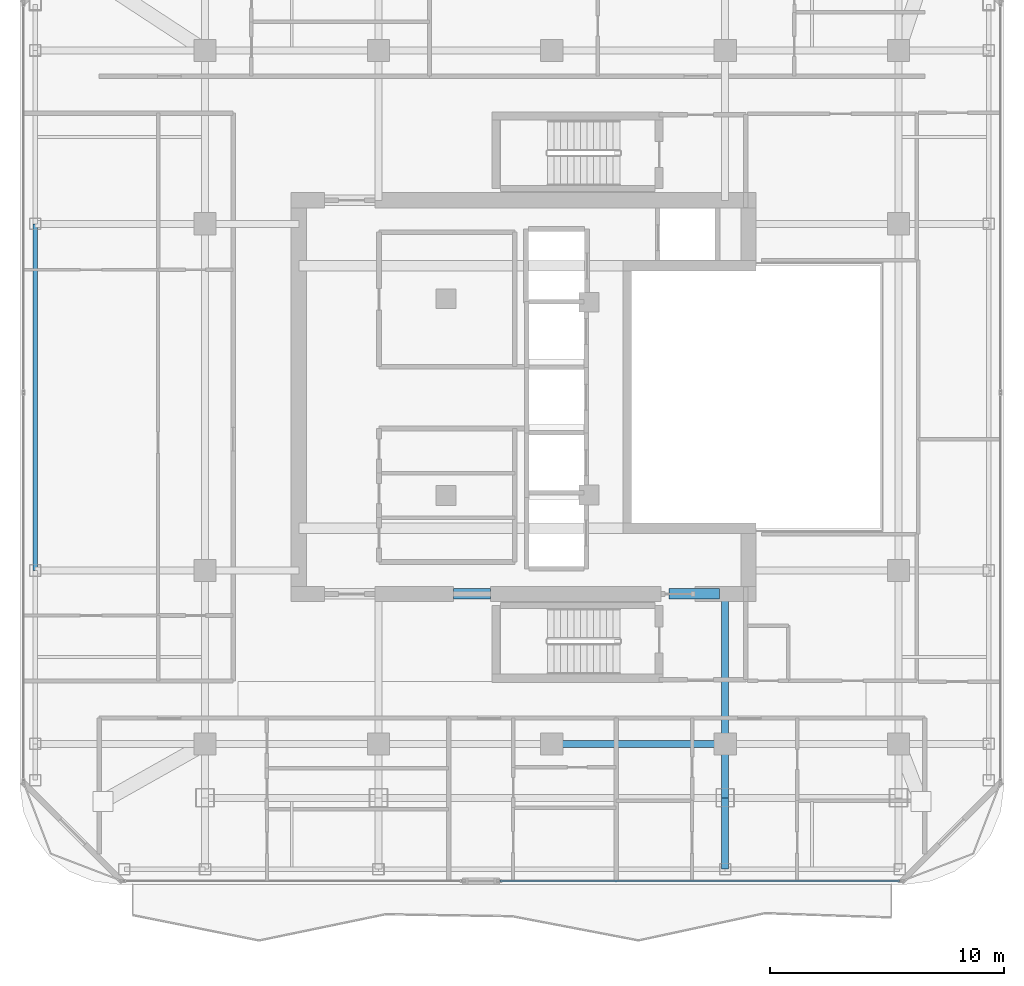
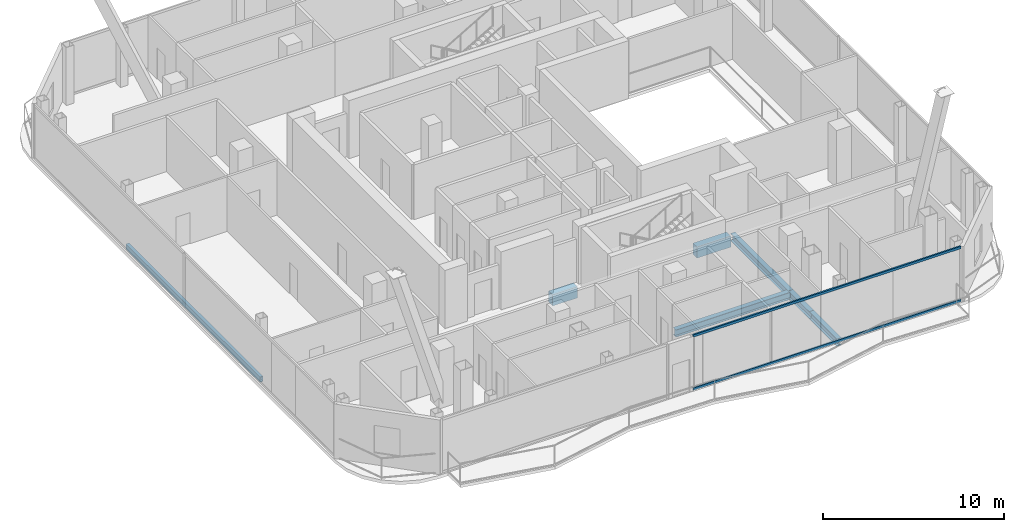
# One storey, part 5 of 24: 7 beams, 2 members, 1 element without a shape of its own.
"""IFC4 building model written with IfcOpenShell, lengths in metres."""

from ifc_helpers import new_model, si_unit, direction, frame, origin, origin_2d, place, context, subcontext, project, spatial, rectangle, hollow_rectangle, i_section, extrude, material, layer, layer_set, material_profile, profile_set, type_object, element, aggregate, save


model = new_model("IFC4")

# Units and contexts
model_context = context("Model", 3, precision=1e-05, world=origin(), true_north=direction((0.0, 1.0)))
body_context = subcontext(model_context, "Body", "Model", "MODEL_VIEW")
ifc_project = project(units=[si_unit("LENGTHUNIT", "METRE"), si_unit("AREAUNIT", "SQUARE_METRE"), si_unit("VOLUMEUNIT", "CUBIC_METRE"), si_unit("PLANEANGLEUNIT", "RADIAN"), si_unit("MASSUNIT", "GRAM", prefix="KILO")], contexts=[model_context])

# Site, building, storey
site_placement = place(None, origin())
site = spatial("IfcSite", under=ifc_project, at=site_placement, CompositionType="ELEMENT")
building_placement = place(site_placement, origin())
building = spatial("IfcBuilding", under=site, at=building_placement, Name="Khorvyn Point Tower", CompositionType="ELEMENT")
storey_placement = place(building_placement, frame((0.0, 0.0, 301.5)))
storey = spatial("IfcBuildingStorey", under=building, at=storey_placement, Name="L74", CompositionType="ELEMENT", Elevation=301.5)

# Curtain wall, members
ifc_material_1 = material(Name="Anodised aluminium 6063-T6 and laminated Low-E glass", Category="aluminium")
ifc_layer = layer(ifc_material_1, 0.18994140625)
ifc_layer_set = layer_set([ifc_layer], Name="Stick-Built High-Wind Curtain Wall CW-SYS-04")
curtain_wall_type = type_object("IfcCurtainWallType", Name="Stick-Built High-Wind Curtain Wall CW-SYS-04", PredefinedType="NOTDEFINED", material=ifc_layer_set)
curtain_wall_placement = place(storey_placement, origin())
curtain_wall = element("IfcCurtainWall", 1, at=curtain_wall_placement, inside=storey, type_object=curtain_wall_type, Name="Curtain Wall", PredefinedType="NOTDEFINED")
ifc_material_2 = material(Name="Anodised aluminium 6063-T6", Category="aluminium")
ifc_material_profile_1 = material_profile(ifc_material_2, hollow_rectangle(XDim=0.10009765625, YDim=0.159912109375, WallThickness=0.00439453125, at=origin_2d()))
ifc_profile_set_1 = profile_set([ifc_material_profile_1], Name="Anodised aluminium 6063-T6 ALU-TRN-100x160")
member_type = type_object("IfcMemberType", Name="Anodised Aluminium 6063-T6 Transom ALU-TRN-100x160", PredefinedType="USERDEFINED", material=ifc_profile_set_1)
member_1_placement = place(storey_placement, frame((14.85009765625, -20.64990234375, 0.050048828125), z_axis=(-1.0, 0.0, 0.0), x_axis=(0.0, -1.0, 0.0)))
member_1 = element("IfcMember", 2, at=member_1_placement, type_object=member_type, Name="Transom", ObjectType="TRANSOM", PredefinedType="USERDEFINED", context=body_context, shape_type="SweptSolid", body=[
    extrude(hollow_rectangle(XDim=0.10009765625, YDim=0.159912109375, WallThickness=0.00439453125, at=origin_2d()), origin(), (0.0, 0.0, 1.0), 17.05712890625),
])
member_2_placement = place(storey_placement, frame((14.85009765625, -20.64990234375, 3.6298828125), z_axis=(-1.0, 0.0, 0.0), x_axis=(0.0, -1.0, 0.0)))
member_2 = element("IfcMember", 3, at=member_2_placement, type_object=member_type, Name="Transom", ObjectType="TRANSOM", PredefinedType="USERDEFINED", context=body_context, shape_type="SweptSolid", body=[
    extrude(hollow_rectangle(XDim=0.10009765625, YDim=0.159912109375, WallThickness=0.00439453125, at=origin_2d()), origin(), (0.0, 0.0, 1.0), 17.05712890625),
])
aggregate(curtain_wall, [member_1, member_2])

# Beams
ifc_material_3 = material(Name="Concrete C40/50", Category="concrete")
ifc_material_profile_2 = material_profile(ifc_material_3, rectangle(XDim=0.449951171875, YDim=0.75, at=origin_2d()))
ifc_profile_set_2 = profile_set([ifc_material_profile_2], Name="Concrete C40/50 RC450x750")
beam_type_1 = type_object("IfcBeamType", Name="Concrete C40/50 Beam RC450x750", PredefinedType="BEAM", material=ifc_profile_set_2)
beam_1_placement = place(storey_placement, frame((-4.199951171875, -8.39990234375, -0.594970703125), z_axis=(1.0, 0.0, 0.0), x_axis=(0.0, 1.0, 0.0)))
element("IfcBeam", 4, at=beam_1_placement, inside=storey, type_object=beam_type_1, Name="L74 Core Shuttle Portal Coupling Beam", PredefinedType="BEAM", context=body_context, shape_type="SweptSolid", body=[
    extrude(rectangle(XDim=0.449951171875, YDim=0.75, at=origin_2d()), origin(), (0.0, 0.0, 1.0), 1.579833984375),
])
beam_2_placement = place(storey_placement, frame((5.0, -8.39990234375, -0.594970703125), z_axis=(1.0, 0.0, 0.0), x_axis=(0.0, 1.0, 0.0)))
element("IfcBeam", 5, at=beam_2_placement, inside=storey, type_object=beam_type_1, Name="L74 Core Southeast Portal Coupling Beam", PredefinedType="BEAM", context=body_context, shape_type="SweptSolid", body=[
    extrude(rectangle(XDim=0.449951171875, YDim=0.75, at=origin_2d()), origin(), (0.0, 0.0, 1.0), 2.14990234375),
])
ifc_material_4 = material(Name="Steel S355", Category="steel")
ifc_material_profile_3 = material_profile(ifc_material_4, i_section(OverallWidth=0.300048828125, OverallDepth=0.488037109375, WebThickness=0.010986328125, FlangeThickness=0.01806640625, at=origin_2d()))
ifc_profile_set_3 = profile_set([ifc_material_profile_3], Name="Steel S355 H488x300x11x18")
beam_type_2 = type_object("IfcBeamType", Name="Steel S355 Spandrel H488x300x11x18", PredefinedType="SPANDREL", material=ifc_profile_set_3)
beam_3_placement = place(storey_placement, frame((0.0, -14.800048828125, -0.464111328125), z_axis=(1.0, 0.0, 0.0), x_axis=(0.0, 1.0, 0.0)))
element("IfcBeam", 6, at=beam_3_placement, inside=storey, type_object=beam_type_2, Name="Beam", PredefinedType="SPANDREL", context=body_context, shape_type="SweptSolid", body=[
    extrude(i_section(OverallWidth=0.300048828125, OverallDepth=0.488037109375, WebThickness=0.010986328125, FlangeThickness=0.01806640625, at=origin_2d()), origin(), (0.0, 0.0, 1.0), 7.39990234375),
])
beam_4_placement = place(storey_placement, frame((7.39990234375, -20.14990234375, -0.464111328125), z_axis=(0.0, 1.0, 0.0), x_axis=(-1.0, 0.0, 0.0)))
element("IfcBeam", 7, at=beam_4_placement, inside=storey, type_object=beam_type_2, Name="Beam", PredefinedType="SPANDREL", context=body_context, shape_type="SweptSolid", body=[
    extrude(i_section(OverallWidth=0.300048828125, OverallDepth=0.488037109375, WebThickness=0.010986328125, FlangeThickness=0.01806640625, at=origin_2d()), origin(), (0.0, 0.0, 1.0), 3.0498046875),
])
beam_5_placement = place(storey_placement, frame((7.39990234375, -17.10009765625, -0.464111328125), z_axis=(0.0, 1.0, 0.0), x_axis=(-1.0, 0.0, 0.0)))
element("IfcBeam", 8, at=beam_5_placement, inside=storey, type_object=beam_type_2, Name="Beam", PredefinedType="SPANDREL", context=body_context, shape_type="SweptSolid", body=[
    extrude(i_section(OverallWidth=0.300048828125, OverallDepth=0.488037109375, WebThickness=0.010986328125, FlangeThickness=0.01806640625, at=origin_2d()), origin(), (0.0, 0.0, 1.0), 2.300048828125),
])
beam_6_placement = place(storey_placement, frame((7.39990234375, -14.800048828125, -0.464111328125), z_axis=(0.0, 1.0, 0.0), x_axis=(-1.0, 0.0, 0.0)))
element("IfcBeam", 9, at=beam_6_placement, inside=storey, type_object=beam_type_2, Name="Beam", PredefinedType="SPANDREL", context=body_context, shape_type="SweptSolid", body=[
    extrude(i_section(OverallWidth=0.300048828125, OverallDepth=0.488037109375, WebThickness=0.010986328125, FlangeThickness=0.01806640625, at=origin_2d()), origin(), (0.0, 0.0, 1.0), 6.400146484375),
])
ifc_material_profile_4 = material_profile(ifc_material_4, hollow_rectangle(XDim=0.199951171875, YDim=0.35009765625, WallThickness=0.013916015625, at=origin_2d()))
ifc_profile_set_4 = profile_set([ifc_material_profile_4], Name="Steel S355 RHS350x200x14")
beam_type_3 = type_object("IfcBeamType", Name="Steel S355 Spandrel RHS350x200x14", PredefinedType="SPANDREL", material=ifc_profile_set_4)
beam_7_placement = place(storey_placement, frame((-22.050048828125, -7.39990234375, -0.39501953125), z_axis=(0.0, 1.0, 0.0), x_axis=(-1.0, 0.0, 0.0)))
element("IfcBeam", 10, at=beam_7_placement, inside=storey, type_object=beam_type_3, Name="Beam", PredefinedType="SPANDREL", context=body_context, shape_type="SweptSolid", body=[
    extrude(hollow_rectangle(XDim=0.199951171875, YDim=0.35009765625, WallThickness=0.013916015625, at=origin_2d()), origin(), (0.0, 0.0, 1.0), 14.7998046875),
])

save(model, "model.ifc")
